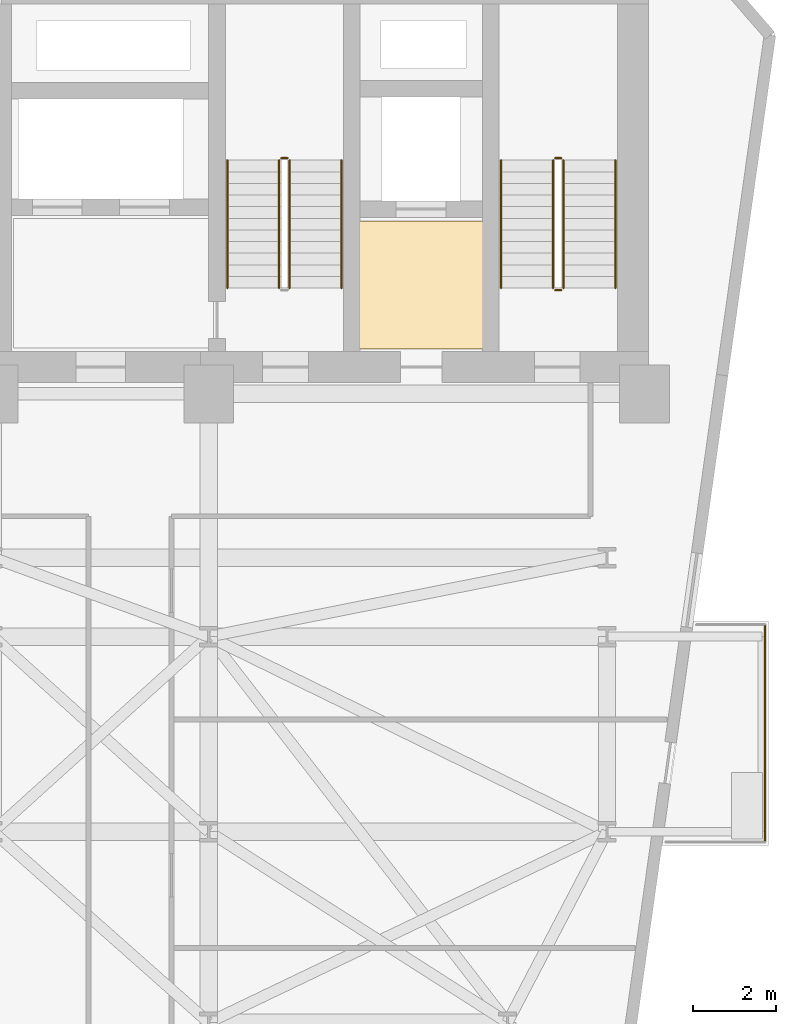
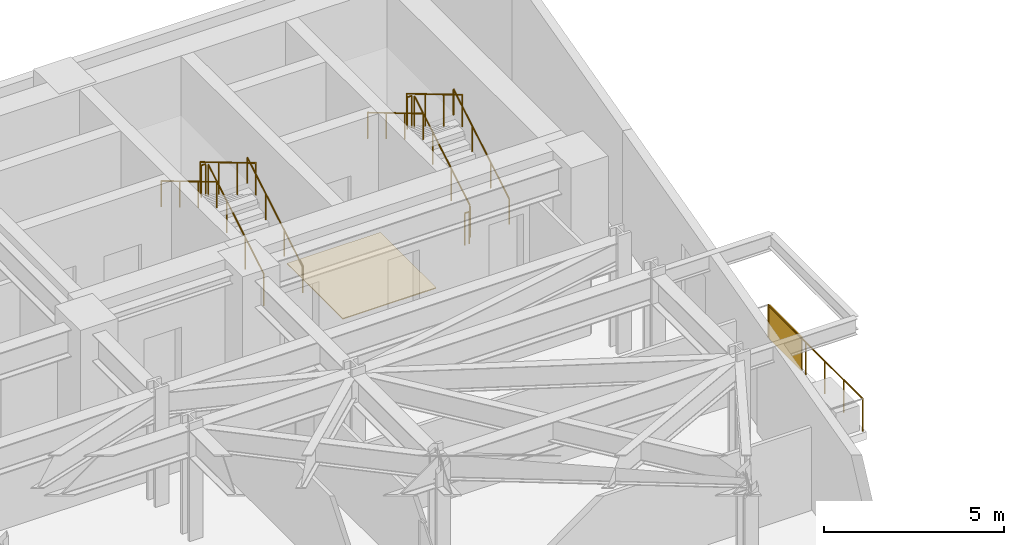
# One storey, part 24 of 24: 12 railings, 1 covering, 1 shading device.
"""IFC4 building model written with IfcOpenShell, lengths in metres."""

import ifcopenshell
import ifcopenshell.guid

model = None  # the IFC model being written
_history = None  # IfcOwnerHistory: only IFC2X3 demands one
_inside = {}  # id of a spatial element -> (the spatial element, [elements in it])
_under = {}  # id of a project, library or spatial element -> (it, [spatial elements below it])
_declared = {}  # id of a project -> (the project, [libraries it declares])
_typed = {}  # id of a type object -> (the type object, [elements of that type])
_made_of = {}  # id of a material, layer set ... -> (it, [elements and type objects made of it])


def new_model(schema):
    """Start an empty IFC model of exactly this schema.

    Asked for "IFC4X3", IfcOpenShell would pick the latest addendum, in which some entities
    have other attributes; the version numbers below select the first issue.
    IFC2X3 requires an IfcOwnerHistory on every rooted entity: one is made here for all.
    """
    global model, _history
    if schema == "IFC4X3":
        model = ifcopenshell.file(schema_version=(4, 3, 0, 0))
    else:
        model = ifcopenshell.file(schema=schema)
    _inside.clear()
    _under.clear()
    _declared.clear()
    _typed.clear()
    _made_of.clear()
    _history = None
    if model.schema == "IFC2X3":
        org = make("IfcOrganization", Name="unknown")
        user = make(
            "IfcPersonAndOrganization",
            ThePerson=make("IfcPerson", FamilyName="unknown"),
            TheOrganization=org,
        )
        app = make(
            "IfcApplication",
            ApplicationDeveloper=org,
            Version="unknown",
            ApplicationFullName="unknown",
            ApplicationIdentifier="unknown",
        )
        _history = make(
            "IfcOwnerHistory",
            OwningUser=user,
            OwningApplication=app,
            ChangeAction="ADDED",
            CreationDate=0,
        )
    return model


def make(cls, **values):
    """One entity of the class cls with the attributes given. An attribute that is None is left unset."""
    return model.create_entity(
        cls, **{name: value for name, value in values.items() if value is not None}
    )


def rooted(cls, **values):
    """An entity with a GlobalId (a new one), such as an element, a storey or a relation."""
    return make(cls, GlobalId=ifcopenshell.guid.new(), OwnerHistory=_history, **values)


def si_unit(unit_type, name, prefix=None):
    """IfcSIUnit, for example si_unit("LENGTHUNIT", "METRE", prefix="MILLI")."""
    return make("IfcSIUnit", UnitType=unit_type, Prefix=prefix, Name=name)


def assignment(units):
    """IfcUnitAssignment: the units of a project."""
    return None if units is None else make("IfcUnitAssignment", Units=units)


def point(xyz):
    """IfcCartesianPoint."""
    return None if xyz is None else make("IfcCartesianPoint", Coordinates=xyz)


def direction(xyz):
    """IfcDirection."""
    return None if xyz is None else make("IfcDirection", DirectionRatios=xyz)


def frame(location, z_axis=None, x_axis=None):
    """IfcAxis2Placement3D, a coordinate frame: its origin and axes. An axis left out is left unset."""
    return make(
        "IfcAxis2Placement3D",
        Location=point(location),
        Axis=direction(z_axis),
        RefDirection=direction(x_axis),
    )


def frame_2d(location, x_axis=None):
    """IfcAxis2Placement2D, a coordinate frame in the plane: its origin and x axis."""
    return make(
        "IfcAxis2Placement2D", Location=point(location), RefDirection=direction(x_axis)
    )


def origin():
    """The frame at (0, 0, 0) with its axes left unset."""
    return frame((0.0, 0.0, 0.0))


def origin_2d():
    """The frame at (0, 0) in the plane with its x axis left unset."""
    return frame_2d((0.0, 0.0))


def place(relative_to, where):
    """IfcLocalPlacement: puts the frame where relative to a parent placement (None: the world)."""
    return make(
        "IfcLocalPlacement", PlacementRelTo=relative_to, RelativePlacement=where
    )


def context(
    kind, dimensions, precision=None, world=None, true_north=None, identifier=None
):
    """IfcGeometricRepresentationContext, for example the 3D "Model" context."""
    return make(
        "IfcGeometricRepresentationContext",
        ContextIdentifier=identifier,
        ContextType=kind,
        CoordinateSpaceDimension=dimensions,
        Precision=precision,
        WorldCoordinateSystem=world,
        TrueNorth=true_north,
    )


def subcontext(parent, identifier, kind, view, scale=None):
    """IfcGeometricRepresentationSubContext, for example "Body" below "Model"."""
    return make(
        "IfcGeometricRepresentationSubContext",
        ContextIdentifier=identifier,
        ContextType=kind,
        ParentContext=parent,
        TargetScale=scale,
        TargetView=view,
    )


def project(units=None, contexts=None):
    """IfcProject with its units and contexts."""
    return rooted(
        "IfcProject",
        Name="project",
        RepresentationContexts=contexts,
        UnitsInContext=assignment(units),
    )


def spatial(cls, under=None, at=None, **own):
    """A site, building, storey or space (cls), placed at a placement, below another one or the project."""
    s = rooted(cls, ObjectPlacement=at, **own)
    if under is not None:
        _under.setdefault(under.id(), (under, []))[1].append(s)
    return s


def polyline(points):
    """IfcPolyline through the points."""
    return make("IfcPolyline", Points=[point(p) for p in points])


def profile(cls, at=None, kind="AREA", **sizes):
    """A parametric profile (cls). Its sizes go by their IFC names, for example OverallWidth=200.0."""
    return make(cls, ProfileType=kind, Position=at, **sizes)


def rectangle(**sizes):
    """IfcRectangleProfileDef."""
    return profile("IfcRectangleProfileDef", **sizes)


def circle(**sizes):
    """IfcCircleProfileDef."""
    return profile("IfcCircleProfileDef", **sizes)


def outline(outer, holes=None, kind="AREA"):
    """IfcArbitraryClosedProfileDef: a profile drawn as a closed curve; with holes, ...WithVoids."""
    if holes is None:
        return make("IfcArbitraryClosedProfileDef", ProfileType=kind, OuterCurve=outer)
    return make(
        "IfcArbitraryProfileDefWithVoids",
        ProfileType=kind,
        OuterCurve=outer,
        InnerCurves=holes,
    )


def extrude(swept, where, along, depth):
    """IfcExtrudedAreaSolid: the profile swept, set in the frame where, extruded along a direction by depth."""
    return make(
        "IfcExtrudedAreaSolid",
        SweptArea=swept,
        Position=where,
        ExtrudedDirection=direction(along),
        Depth=depth,
    )


def shape(context_of_items, identifier, shape_type, items):
    """IfcShapeRepresentation: the items that make up one representation, for example the "Body"."""
    return make(
        "IfcShapeRepresentation",
        ContextOfItems=context_of_items,
        RepresentationIdentifier=identifier,
        RepresentationType=shape_type,
        Items=items,
    )


def material(Name=None, Category=None):
    """IfcMaterial."""
    return make("IfcMaterial", Name=Name, Category=Category)


def layer(
    of_material, thickness, ventilated=None, Name=None, Category=None, Priority=None
):
    """IfcMaterialLayer: one layer of a wall or slab, of a material (None: an air gap)."""
    return make(
        "IfcMaterialLayer",
        Material=of_material,
        LayerThickness=thickness,
        IsVentilated=ventilated,
        Name=Name,
        Category=Category,
        Priority=Priority,
    )


def layer_set(layers, Name=None):
    """IfcMaterialLayerSet."""
    return make("IfcMaterialLayerSet", MaterialLayers=layers, LayerSetName=Name)


def made_of(thing, what):
    """Note that an element or type object is made of a material, layer set ...; save() writes the relation."""
    if what is not None:
        _made_of.setdefault(what.id(), (what, []))[1].append(thing)
    return thing


def type_object(cls, material=None, **own):
    """A type object (cls), such as IfcWallType, which elements share."""
    return made_of(rooted(cls, **own), material)


def element(
    cls,
    number,
    at=None,
    inside=None,
    cuts=None,
    type_object=None,
    material=None,
    context=None,
    identifier="Body",
    shape_type=None,
    held_by="IfcProductDefinitionShape",
    body=None,
    shapes=None,
    **own,
):
    """One element of the class cls, such as IfcWall. Its Tag is "e" and its number.

    at: its placement. inside: the storey or other place that contains it. cuts: it is an
    opening in that element (IfcRelVoidsElement). A single representation is given by context,
    identifier, shape_type and body (its items); several are given by shapes. held_by: the class
    of the entity that holds the representations. save() writes the other relations.
    """
    e = rooted(cls, Tag="e%d" % number, ObjectPlacement=at, **own)
    if body is not None:
        shapes = [shape(context, identifier, shape_type, body)]
    if shapes is not None:
        e.Representation = make(held_by, Representations=shapes)
    if inside is not None:
        _inside.setdefault(inside.id(), (inside, []))[1].append(e)
    if cuts is not None:
        rooted(
            "IfcRelVoidsElement", RelatingBuildingElement=cuts, RelatedOpeningElement=e
        )
    if type_object is not None:
        _typed.setdefault(type_object.id(), (type_object, []))[1].append(e)
    return made_of(e, material)


def aggregate(whole, parts):
    """IfcRelAggregates: a whole, such as a stair, and the parts it consists of."""
    return rooted("IfcRelAggregates", RelatingObject=whole, RelatedObjects=parts)


def save(model, path):
    """Write the relations noted so far, then the file.

    IfcRelAggregates (storeys below a building ...), IfcRelContainedInSpatialStructure (elements
    in a storey), IfcRelDefinesByType, IfcRelAssociatesMaterial and IfcRelDeclares: one each for
    every whole, place, type object, material and project.
    """
    for whole, parts in _under.values():
        aggregate(whole, parts)
    for where, things in _inside.values():
        rooted(
            "IfcRelContainedInSpatialStructure",
            RelatedElements=things,
            RelatingStructure=where,
        )
    for kind, things in _typed.values():
        rooted("IfcRelDefinesByType", RelatedObjects=things, RelatingType=kind)
    for what, things in _made_of.values():
        rooted("IfcRelAssociatesMaterial", RelatedObjects=things, RelatingMaterial=what)
    for by, libraries in _declared.values():
        rooted("IfcRelDeclares", RelatingContext=by, RelatedDefinitions=libraries)
    model.write(path)


model = new_model("IFC4")

# Units and contexts
model_context = context("Model", 3, precision=1e-05, world=origin(), true_north=direction((0.0, 1.0)))
body_context = subcontext(model_context, "Body", "Model", "MODEL_VIEW")
ifc_project = project(units=[si_unit("LENGTHUNIT", "METRE"), si_unit("AREAUNIT", "SQUARE_METRE"), si_unit("VOLUMEUNIT", "CUBIC_METRE"), si_unit("PLANEANGLEUNIT", "RADIAN"), si_unit("MASSUNIT", "GRAM", prefix="KILO")], contexts=[model_context])

# Site, building, storey
site_placement = place(None, origin())
site = spatial("IfcSite", under=ifc_project, at=site_placement, CompositionType="ELEMENT")
building_placement = place(site_placement, origin())
building = spatial("IfcBuilding", under=site, at=building_placement, Name="Kravanh Interchange Tower", CompositionType="ELEMENT")
storey_placement = place(building_placement, frame((0.0, 0.0, 61.5)))
storey = spatial("IfcBuildingStorey", under=building, at=storey_placement, Name="L14", CompositionType="ELEMENT", Elevation=61.5)

# Covering
ifc_material_1 = material(Name="Cementitious Terrazzo Tile")
ifc_layer_1 = layer(ifc_material_1, 0.030029296875)
ifc_layer_set_1 = layer_set([ifc_layer_1], Name="Honed Terrazzo Lobby Flooring 30mm")
covering_type = type_object("IfcCoveringType", Name="Honed Terrazzo Lobby Flooring 30mm", PredefinedType="FLOORING", material=ifc_layer_set_1)
covering_placement = place(storey_placement, origin())
element("IfcCovering", 1, at=covering_placement, inside=storey, type_object=covering_type, Name="L14 Service Lift Lobby Floor Finish", PredefinedType="FLOORING", context=body_context, shape_type="SweptSolid", body=[
    extrude(outline(polyline([(59.6298828125, 41.52001953125), (62.6201171875, 41.52001953125), (62.6201171875, 38.429931640625), (59.6298828125, 38.429931640625), (59.6298828125, 41.52001953125)])), origin(), (0.0, 0.0, 1.0), 0.030029296875),
])

# Shading device
ifc_material_2 = material(Name="Perforated Anodised Bronze Aluminium", Category="aluminium")
ifc_layer_2 = layer(ifc_material_2, 0.0400390625)
ifc_layer_set_2 = layer_set([ifc_layer_2], Name="Perforated Bronze Balcony Privacy Screen 1150mm")
shading_device_type = type_object("IfcShadingDeviceType", Name="Perforated Bronze Balcony Privacy Screen 1150mm", PredefinedType="USERDEFINED", material=ifc_layer_set_2)
shading_device_placement = place(storey_placement, frame((69.409912109375, 30.820068359375, 0.0), z_axis=(0.0, 0.0, 1.0), x_axis=(1.0, 0.0, 0.0)))
element("IfcShadingDevice", 2, at=shading_device_placement, inside=storey, type_object=shading_device_type, Name="L14 E Perforated Bronze BALCONY SCREEN", ObjectType="SCREEN", PredefinedType="USERDEFINED", context=body_context, shape_type="SweptSolid", body=[
    extrude(rectangle(XDim=0.0400390625, YDim=1.800048828125, at=origin_2d()), origin(), (0.0, 0.0, 1.0), 1.14990234375),
])

# Railings
ifc_material_3 = material(Name="Stainless Steel 316", Category="steel")
ifc_layer_3 = layer(ifc_material_3, 0.06005859375)
ifc_layer_set_3 = layer_set([ifc_layer_3], Name="Perimeter Balcony and Terrace Guardrail Stainless 316 1120mm")
railing_type_1 = type_object("IfcRailingType", Name="Perimeter Balcony and Terrace Guardrail Stainless 316 1120mm", PredefinedType="GUARDRAIL", material=ifc_layer_set_3)
railing_1_placement = place(storey_placement, frame((69.409912109375, 31.7900390625, 0.0)))
element("IfcRailing", 3, at=railing_1_placement, inside=storey, type_object=railing_type_1, Name="L14 E Balcony Guardrail 1", PredefinedType="GUARDRAIL", context=body_context, shape_type="SweptSolid", body=[
    extrude(circle(Radius=0.02392578125, at=origin_2d()), frame((0.0, 0.0, 1.09619140625), z_axis=(0.0, -1.0, 0.0), x_axis=(1.0, 0.0, 0.0)), (0.0, 0.0, 1.0), 5.239990234375),
    extrude(circle(Radius=0.02099609375, at=origin_2d()), origin(), (0.0, 0.0, 1.0), 1.072021484375),
    extrude(circle(Radius=0.02099609375, at=origin_2d()), frame((0.0, -1.048095703125, 0.0)), (0.0, 0.0, 1.0), 1.072021484375),
    extrude(circle(Radius=0.02099609375, at=origin_2d()), frame((0.0, -2.095947265625, 0.0)), (0.0, 0.0, 1.0), 1.072021484375),
    extrude(circle(Radius=0.02099609375, at=origin_2d()), frame((0.0, -3.14404296875, 0.0)), (0.0, 0.0, 1.0), 1.072021484375),
    extrude(circle(Radius=0.02099609375, at=origin_2d()), frame((0.0, -4.19189453125, 0.0)), (0.0, 0.0, 1.0), 1.072021484375),
    extrude(circle(Radius=0.02099609375, at=origin_2d()), frame((0.0, -5.239990234375, 0.0)), (0.0, 0.0, 1.0), 1.072021484375),
])
ifc_material_4 = material(Name="Structural Steel S355", Category="steel")
ifc_layer_4 = layer(ifc_material_4, 0.050048828125)
ifc_layer_set_4 = layer_set([ifc_layer_4], Name="Stair Well Guardrail Structural Steel S355 1100mm")
railing_type_2 = type_object("IfcRailingType", Name="Stair Well Guardrail Structural Steel S355 1100mm", PredefinedType="GUARDRAIL", material=ifc_layer_set_4)
railing_2_placement = place(storey_placement, frame((64.550048828125, 39.89990234375, 0.166748046875)))
element("IfcRailing", 4, at=railing_2_placement, inside=storey, type_object=railing_type_2, Name="L14 ST1 stair guard 1", PredefinedType="GUARDRAIL", context=body_context, shape_type="SweptSolid", body=[
    extrude(circle(Radius=0.02392578125, at=origin_2d()), frame((0.0, 0.0, 1.076171875), z_axis=(0.0, 0.859308565015, 0.511457515432), x_axis=(-1.0, 0.0, 0.0)), (0.0, 0.0, 1.0), 3.58447265625),
    extrude(circle(Radius=0.02099609375, at=origin_2d()), origin(), (0.0, 0.0, 1.0), 1.052001953125),
    extrude(circle(Radius=0.02099609375, at=origin_2d()), frame((0.0, 1.026611328125, 0.611083984375)), (0.0, 0.0, 1.0), 1.052001953125),
    extrude(circle(Radius=0.02099609375, at=origin_2d()), frame((0.0, 2.053466796875, 1.22216796875)), (0.0, 0.0, 1.0), 1.052001953125),
    extrude(circle(Radius=0.02099609375, at=origin_2d()), frame((0.0, 3.080078125, 1.833251953125)), (0.0, 0.0, 1.0), 1.052001953125),
])
railing_3_placement = place(storey_placement, frame((64.5, 43.030029296875, 2.0)))
element("IfcRailing", 5, at=railing_3_placement, inside=storey, type_object=railing_type_2, Name="L14 ST1 stair guard 2", PredefinedType="GUARDRAIL", context=body_context, shape_type="SweptSolid", body=[
    extrude(circle(Radius=0.02392578125, at=origin_2d()), frame((0.0, 0.0, 1.076171875), z_axis=(-1.0, 0.0, 0.0), x_axis=(0.0, -1.0, 0.0)), (0.0, 0.0, 1.0), 0.14990234375),
    extrude(circle(Radius=0.02099609375, at=origin_2d()), origin(), (0.0, 0.0, 1.0), 1.052001953125),
    extrude(circle(Radius=0.02099609375, at=origin_2d()), frame((-0.14990234375, 0.0, 0.0)), (0.0, 0.0, 1.0), 1.052001953125),
])
railing_4_placement = place(storey_placement, frame((64.300048828125, 42.97998046875, 2.166748046875)))
element("IfcRailing", 6, at=railing_4_placement, inside=storey, type_object=railing_type_2, Name="L14 ST1 stair guard 3", PredefinedType="GUARDRAIL", context=body_context, shape_type="SweptSolid", body=[
    extrude(circle(Radius=0.02392578125, at=origin_2d()), frame((0.0, 0.0, 1.076171875), z_axis=(0.0, -0.859308565015, 0.511457515432), x_axis=(1.0, 0.0, 0.0)), (0.0, 0.0, 1.0), 3.58447265625),
    extrude(circle(Radius=0.02099609375, at=origin_2d()), origin(), (0.0, 0.0, 1.0), 1.052001953125),
    extrude(circle(Radius=0.02099609375, at=origin_2d()), frame((0.0, -1.026611328125, 0.611083984375)), (0.0, 0.0, 1.0), 1.052001953125),
    extrude(circle(Radius=0.02099609375, at=origin_2d()), frame((0.0, -2.053466796875, 1.22216796875)), (0.0, 0.0, 1.0), 1.052001953125),
    extrude(circle(Radius=0.02099609375, at=origin_2d()), frame((0.0, -3.080078125, 1.833251953125)), (0.0, 0.0, 1.0), 1.052001953125),
])
railing_5_placement = place(storey_placement, frame((64.5, 39.85009765625, 0.0)))
element("IfcRailing", 7, at=railing_5_placement, inside=storey, type_object=railing_type_2, Name="L14 ST1 stair guard 4", PredefinedType="GUARDRAIL", context=body_context, shape_type="SweptSolid", body=[
    extrude(circle(Radius=0.02392578125, at=origin_2d()), frame((0.0, 0.0, 1.076171875), z_axis=(-1.0, 0.0, 0.0), x_axis=(0.0, -1.0, 0.0)), (0.0, 0.0, 1.0), 0.14990234375),
    extrude(circle(Radius=0.02099609375, at=origin_2d()), origin(), (0.0, 0.0, 1.0), 1.052001953125),
    extrude(circle(Radius=0.02099609375, at=origin_2d()), frame((-0.14990234375, 0.0, 0.0)), (0.0, 0.0, 1.0), 1.052001953125),
])
railing_6_placement = place(storey_placement, frame((57.949951171875, 39.89990234375, 0.166748046875)))
element("IfcRailing", 8, at=railing_6_placement, inside=storey, type_object=railing_type_2, Name="L14 ST2 stair guard 1", PredefinedType="GUARDRAIL", context=body_context, shape_type="SweptSolid", body=[
    extrude(circle(Radius=0.02392578125, at=origin_2d()), frame((0.0, 0.0, 1.076171875), z_axis=(0.0, 0.859308565015, 0.511457515432), x_axis=(-1.0, 0.0, 0.0)), (0.0, 0.0, 1.0), 3.58447265625),
    extrude(circle(Radius=0.02099609375, at=origin_2d()), origin(), (0.0, 0.0, 1.0), 1.052001953125),
    extrude(circle(Radius=0.02099609375, at=origin_2d()), frame((0.0, 1.026611328125, 0.611083984375)), (0.0, 0.0, 1.0), 1.052001953125),
    extrude(circle(Radius=0.02099609375, at=origin_2d()), frame((0.0, 2.053466796875, 1.22216796875)), (0.0, 0.0, 1.0), 1.052001953125),
    extrude(circle(Radius=0.02099609375, at=origin_2d()), frame((0.0, 3.080078125, 1.833251953125)), (0.0, 0.0, 1.0), 1.052001953125),
])
railing_7_placement = place(storey_placement, frame((57.89990234375, 43.030029296875, 2.0)))
element("IfcRailing", 9, at=railing_7_placement, inside=storey, type_object=railing_type_2, Name="L14 ST2 stair guard 2", PredefinedType="GUARDRAIL", context=body_context, shape_type="SweptSolid", body=[
    extrude(circle(Radius=0.02392578125, at=origin_2d()), frame((0.0, 0.0, 1.076171875), z_axis=(-1.0, 0.0, 0.0), x_axis=(0.0, -1.0, 0.0)), (0.0, 0.0, 1.0), 0.14990234375),
    extrude(circle(Radius=0.02099609375, at=origin_2d()), origin(), (0.0, 0.0, 1.0), 1.052001953125),
    extrude(circle(Radius=0.02099609375, at=origin_2d()), frame((-0.14990234375, 0.0, 0.0)), (0.0, 0.0, 1.0), 1.052001953125),
])
railing_8_placement = place(storey_placement, frame((57.699951171875, 42.97998046875, 2.166748046875)))
element("IfcRailing", 10, at=railing_8_placement, inside=storey, type_object=railing_type_2, Name="L14 ST2 stair guard 3", PredefinedType="GUARDRAIL", context=body_context, shape_type="SweptSolid", body=[
    extrude(circle(Radius=0.02392578125, at=origin_2d()), frame((0.0, 0.0, 1.076171875), z_axis=(0.0, -0.859308565015, 0.511457515432), x_axis=(1.0, 0.0, 0.0)), (0.0, 0.0, 1.0), 3.58447265625),
    extrude(circle(Radius=0.02099609375, at=origin_2d()), origin(), (0.0, 0.0, 1.0), 1.052001953125),
    extrude(circle(Radius=0.02099609375, at=origin_2d()), frame((0.0, -1.026611328125, 0.611083984375)), (0.0, 0.0, 1.0), 1.052001953125),
    extrude(circle(Radius=0.02099609375, at=origin_2d()), frame((0.0, -2.053466796875, 1.22216796875)), (0.0, 0.0, 1.0), 1.052001953125),
    extrude(circle(Radius=0.02099609375, at=origin_2d()), frame((0.0, -3.080078125, 1.833251953125)), (0.0, 0.0, 1.0), 1.052001953125),
])
ifc_material_5 = material(Name="Stainless Steel 304", Category="steel")
ifc_layer_5 = layer(ifc_material_5, 0.044921875)
ifc_layer_set_5 = layer_set([ifc_layer_5], Name="Tubular Stair Handrail Stainless 304 900mm")
railing_type_3 = type_object("IfcRailingType", Name="Tubular Stair Handrail Stainless 304 900mm", PredefinedType="HANDRAIL", material=ifc_layer_set_5)
railing_9_placement = place(storey_placement, frame((65.800048828125, 39.89990234375, 0.166748046875)))
element("IfcRailing", 11, at=railing_9_placement, inside=storey, type_object=railing_type_3, Name="L14 ST1 stair handrail 1", PredefinedType="HANDRAIL", context=body_context, shape_type="SweptSolid", body=[
    extrude(circle(Radius=0.02392578125, at=origin_2d()), frame((0.0, 0.0, 0.8759765625), z_axis=(0.0, 0.859308565015, 0.511457515432), x_axis=(-1.0, 0.0, 0.0)), (0.0, 0.0, 1.0), 3.58447265625),
    extrude(circle(Radius=0.02099609375, at=origin_2d()), origin(), (0.0, 0.0, 1.0), 0.851806640625),
    extrude(circle(Radius=0.02099609375, at=origin_2d()), frame((0.0, 1.026611328125, 0.611083984375)), (0.0, 0.0, 1.0), 0.851806640625),
    extrude(circle(Radius=0.02099609375, at=origin_2d()), frame((0.0, 2.053466796875, 1.22216796875)), (0.0, 0.0, 1.0), 0.851806640625),
    extrude(circle(Radius=0.02099609375, at=origin_2d()), frame((0.0, 3.080078125, 1.833251953125)), (0.0, 0.0, 1.0), 0.851806640625),
])
railing_10_placement = place(storey_placement, frame((63.050048828125, 42.97998046875, 2.166748046875)))
element("IfcRailing", 12, at=railing_10_placement, inside=storey, type_object=railing_type_3, Name="L14 ST1 stair handrail 2", PredefinedType="HANDRAIL", context=body_context, shape_type="SweptSolid", body=[
    extrude(circle(Radius=0.02392578125, at=origin_2d()), frame((0.0, 0.0, 0.8759765625), z_axis=(0.0, -0.859308565015, 0.511457515432), x_axis=(1.0, 0.0, 0.0)), (0.0, 0.0, 1.0), 3.58447265625),
    extrude(circle(Radius=0.02099609375, at=origin_2d()), origin(), (0.0, 0.0, 1.0), 0.851806640625),
    extrude(circle(Radius=0.02099609375, at=origin_2d()), frame((0.0, -1.026611328125, 0.611083984375)), (0.0, 0.0, 1.0), 0.851806640625),
    extrude(circle(Radius=0.02099609375, at=origin_2d()), frame((0.0, -2.053466796875, 1.22216796875)), (0.0, 0.0, 1.0), 0.851806640625),
    extrude(circle(Radius=0.02099609375, at=origin_2d()), frame((0.0, -3.080078125, 1.833251953125)), (0.0, 0.0, 1.0), 0.851806640625),
])
railing_11_placement = place(storey_placement, frame((59.199951171875, 39.89990234375, 0.166748046875)))
element("IfcRailing", 13, at=railing_11_placement, inside=storey, type_object=railing_type_3, Name="L14 ST2 stair handrail 1", PredefinedType="HANDRAIL", context=body_context, shape_type="SweptSolid", body=[
    extrude(circle(Radius=0.02392578125, at=origin_2d()), frame((0.0, 0.0, 0.8759765625), z_axis=(0.0, 0.859308565015, 0.511457515432), x_axis=(-1.0, 0.0, 0.0)), (0.0, 0.0, 1.0), 3.58447265625),
    extrude(circle(Radius=0.02099609375, at=origin_2d()), origin(), (0.0, 0.0, 1.0), 0.851806640625),
    extrude(circle(Radius=0.02099609375, at=origin_2d()), frame((0.0, 1.026611328125, 0.611083984375)), (0.0, 0.0, 1.0), 0.851806640625),
    extrude(circle(Radius=0.02099609375, at=origin_2d()), frame((0.0, 2.053466796875, 1.22216796875)), (0.0, 0.0, 1.0), 0.851806640625),
    extrude(circle(Radius=0.02099609375, at=origin_2d()), frame((0.0, 3.080078125, 1.833251953125)), (0.0, 0.0, 1.0), 0.851806640625),
])
railing_12_placement = place(storey_placement, frame((56.449951171875, 42.97998046875, 2.166748046875)))
element("IfcRailing", 14, at=railing_12_placement, inside=storey, type_object=railing_type_3, Name="L14 ST2 stair handrail 2", PredefinedType="HANDRAIL", context=body_context, shape_type="SweptSolid", body=[
    extrude(circle(Radius=0.02392578125, at=origin_2d()), frame((0.0, 0.0, 0.8759765625), z_axis=(0.0, -0.859308565015, 0.511457515432), x_axis=(1.0, 0.0, 0.0)), (0.0, 0.0, 1.0), 3.58447265625),
    extrude(circle(Radius=0.02099609375, at=origin_2d()), origin(), (0.0, 0.0, 1.0), 0.851806640625),
    extrude(circle(Radius=0.02099609375, at=origin_2d()), frame((0.0, -1.026611328125, 0.611083984375)), (0.0, 0.0, 1.0), 0.851806640625),
    extrude(circle(Radius=0.02099609375, at=origin_2d()), frame((0.0, -2.053466796875, 1.22216796875)), (0.0, 0.0, 1.0), 0.851806640625),
    extrude(circle(Radius=0.02099609375, at=origin_2d()), frame((0.0, -3.080078125, 1.833251953125)), (0.0, 0.0, 1.0), 0.851806640625),
])

save(model, "model.ifc")
